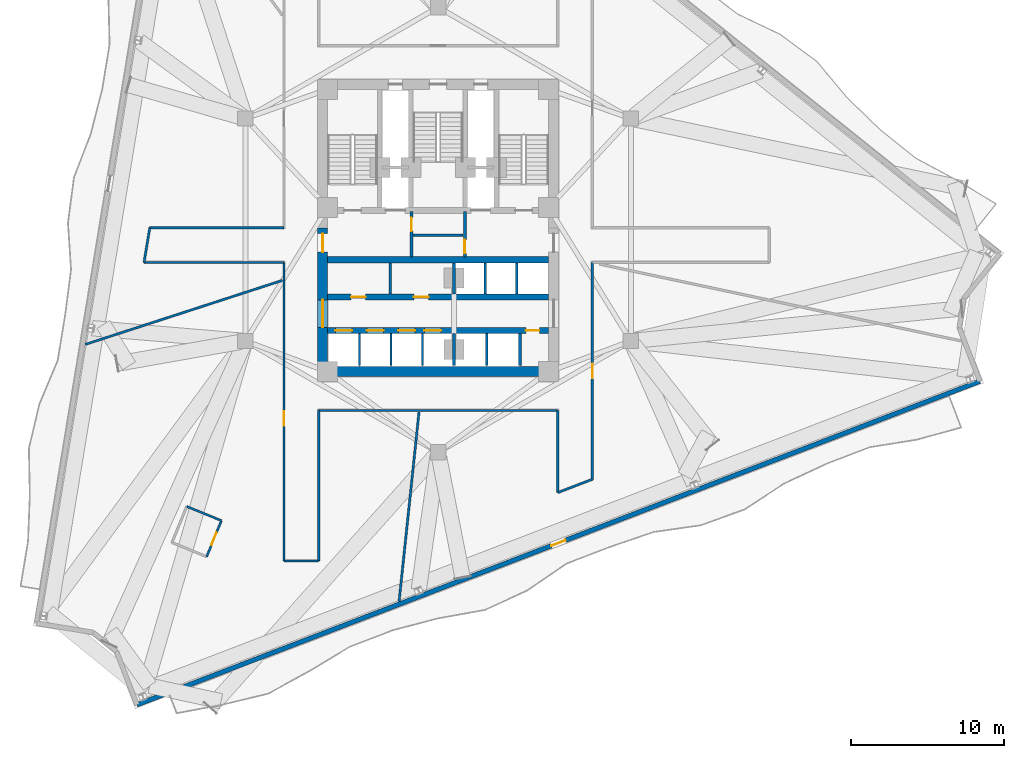
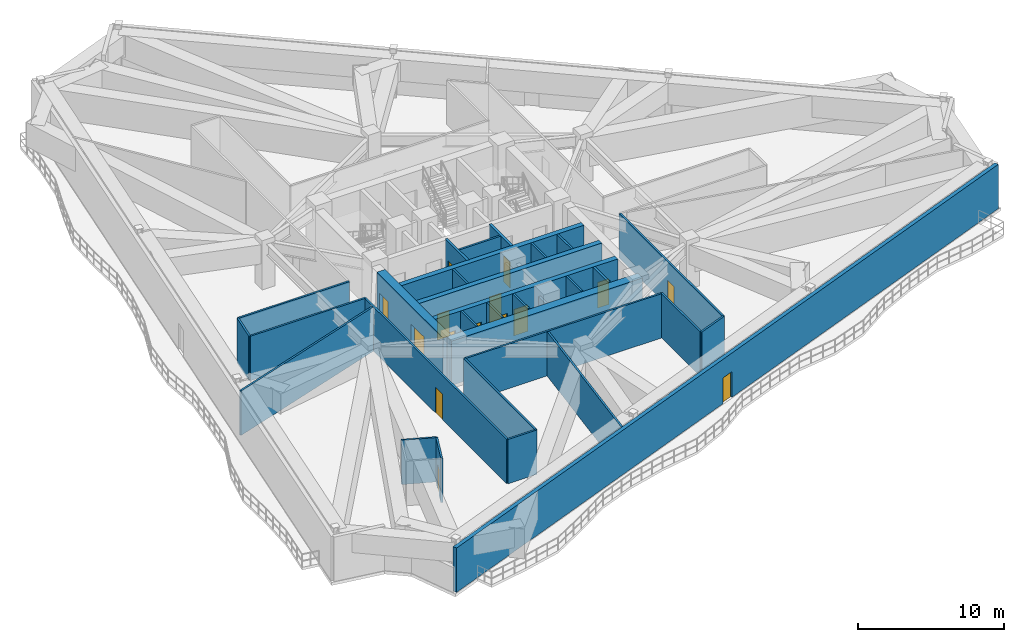
# One storey, part 8 of 14: 33 walls, 15 doors, 15 openings.
"""IFC4 building model written with IfcOpenShell, lengths in metres."""

from ifc_helpers import new_model, si_unit, direction, frame, frame_2d, origin, place, context, subcontext, project, spatial, rectangle, extrude, material, layer, layer_set, type_object, element, fill, save


model = new_model("IFC4")

# Units and contexts
model_context = context("Model", 3, precision=1e-05, world=origin(), true_north=direction((0.0, 1.0)))
body_context = subcontext(model_context, "Body", "Model", "MODEL_VIEW")
ifc_project = project(units=[si_unit("LENGTHUNIT", "METRE"), si_unit("AREAUNIT", "SQUARE_METRE"), si_unit("VOLUMEUNIT", "CUBIC_METRE"), si_unit("PLANEANGLEUNIT", "RADIAN"), si_unit("MASSUNIT", "GRAM", prefix="KILO")], contexts=[model_context])

# Site, building, storey
site_placement = place(None, origin())
site = spatial("IfcSite", under=ifc_project, at=site_placement, CompositionType="ELEMENT")
building_placement = place(site_placement, origin())
building = spatial("IfcBuilding", under=site, at=building_placement, Name="Apsidion Concourse Tower", CompositionType="ELEMENT")
storey_placement = place(building_placement, frame((0.0, 0.0, 156.800048828125)))
storey = spatial("IfcBuildingStorey", under=building, at=storey_placement, Name="L36", CompositionType="ELEMENT", Elevation=156.800048828125)

# Wall, opening, door
ifc_material_1 = material(Name="Precast concrete C40/50", Category="concrete")
ifc_layer_1 = layer(ifc_material_1, 0.300048828125)
ifc_layer_set_1 = layer_set([ifc_layer_1], Name="Precast concrete C40/50")
wall_type_1 = type_object("IfcWallType", Name="WL-EXT-300", PredefinedType="STANDARD", material=ifc_layer_set_1)
wall_1_placement = place(storey_placement, frame((35.29638671875, -9.872802734375, 0.0), z_axis=(0.0, 0.0, 1.0), x_axis=(-0.933580612554, -0.35836746485, 0.0)))
wall_1 = element("IfcWall", 1, at=wall_1_placement, inside=storey, type_object=wall_type_1, Name="L36 Precast Stone Facade Wall 05", PredefinedType="STANDARD", context=body_context, shape_type="SweptSolid", body=[
    extrude(rectangle(XDim=58.827880859375, YDim=0.300048828125, at=frame_2d((29.4140625, 0.0))), origin(), (0.0, 0.0, 1.0), 3.699951171875),
])
opening_1_placement = place(wall_1_placement, frame((28.9140625, 0.0, 0.0)))
opening_1 = element("IfcOpeningElement", 2, at=opening_1_placement, cuts=wall_1, Name="Opening D-T1R", PredefinedType="OPENING", context=body_context, shape_type="SweptSolid", body=[
    extrude(rectangle(XDim=1.0, YDim=2.14990234375, at=frame_2d((0.5, 1.074951171875))), frame((0.0, 0.16015625, 0.0), z_axis=(0.0, -1.0, 0.0), x_axis=(1.0, 0.0, 0.0)), (0.0, 0.0, 1.0), 0.320068359375),
])
ifc_material_2 = material(Name="Anodised aluminium EN AW-6063 T6", Category="aluminium")
door_type_1 = type_object("IfcDoorType", Name="DR-TER-1022R", OperationType="SINGLE_SWING_RIGHT", PredefinedType="DOOR", material=ifc_material_2)
door_1_placement = place(opening_1_placement, origin())
door_1 = element("IfcDoor", 3, at=door_1_placement, inside=storey, type_object=door_type_1, Name="L36 Balcony Access Door 2", OperationType="SINGLE_SWING_RIGHT", OverallHeight=2.14990234375, OverallWidth=1.0, PredefinedType="DOOR", context=body_context, shape_type="SweptSolid", body=[
    extrude(rectangle(XDim=1.0, YDim=2.14990234375, at=frame_2d((0.5, 1.074951171875))), frame((0.0, 0.02490234375, 0.0), z_axis=(0.0, -1.0, 0.0), x_axis=(1.0, 0.0, 0.0)), (0.0, 0.0, 1.0), 0.050048828125),
])
fill(opening_1, door_1)

ifc_material_3 = material(Name="Gypsum plasterboard partition")
ifc_layer_2 = layer(ifc_material_3, 0.139892578125)
ifc_layer_set_2 = layer_set([ifc_layer_2], Name="Gypsum plasterboard partition")
wall_type_2 = type_object("IfcWallType", Name="WL-INT-PAR-140", PredefinedType="PARTITIONING", material=ifc_layer_set_2)
wall_2_placement = place(storey_placement, frame((-15.084228515625, -21.3037109375, 0.0), z_axis=(0.0, 0.0, 1.0), x_axis=(0.377861684358, 0.925862056407, 0.0)))
wall_2 = element("IfcWall", 4, at=wall_2_placement, inside=storey, type_object=wall_type_2, Name="L36 Interior Partition WL-L36-POD-OFAWC-S3", PredefinedType="PARTITIONING", context=body_context, shape_type="SweptSolid", body=[
    extrude(rectangle(XDim=2.539794921875, YDim=0.139892578125, at=frame_2d((1.27001953125, 0.0))), origin(), (0.0, 0.0, 1.0), 3.699951171875),
])
opening_2_placement = place(wall_2_placement, frame((0.830078125, 0.0, 0.0)))
opening_2 = element("IfcOpeningElement", 5, at=opening_2_placement, cuts=wall_2, Name="Opening D-03R", PredefinedType="OPENING", context=body_context, shape_type="SweptSolid", body=[
    extrude(rectangle(XDim=0.8798828125, YDim=2.10009765625, at=frame_2d((0.43994140625, 1.050048828125))), frame((0.0, 0.080078125, 0.0), z_axis=(0.0, -1.0, 0.0), x_axis=(1.0, 0.0, 0.0)), (0.0, 0.0, 1.0), 0.159912109375),
])
door_type_2 = type_object("IfcDoorType", Name="DR-INT-D03R", OperationType="SINGLE_SWING_RIGHT", PredefinedType="DOOR", material=ifc_material_2)
door_2_placement = place(opening_2_placement, origin())
door_2 = element("IfcDoor", 6, at=door_2_placement, inside=storey, type_object=door_type_2, Name="L36 Office Accessible WC Door OFAWC", OperationType="SINGLE_SWING_RIGHT", OverallHeight=2.10009765625, OverallWidth=0.8798828125, PredefinedType="DOOR", context=body_context, shape_type="SweptSolid", body=[
    extrude(rectangle(XDim=0.8798828125, YDim=2.10009765625, at=frame_2d((0.43994140625, 1.050048828125))), frame((0.0, 0.02490234375, 0.0), z_axis=(0.0, -1.0, 0.0), x_axis=(1.0, 0.0, 0.0)), (0.0, 0.0, 1.0), 0.050048828125),
])
fill(opening_2, door_2)

# Walls
wall_3_placement = place(storey_placement, frame((-14.12451171875, -18.9521484375, 0.0), z_axis=(0.0, 0.0, 1.0), x_axis=(-0.925887645297, 0.377798978673, 0.0)))
element("IfcWall", 7, at=wall_3_placement, inside=storey, type_object=wall_type_2, Name="L36 Interior Partition WL-L36-POD-OFAWC-S4", PredefinedType="PARTITIONING", context=body_context, shape_type="SweptSolid", body=[
    extrude(rectangle(XDim=2.440185546875, YDim=0.139892578125, at=frame_2d((1.22021484375, 0.0))), origin(), (0.0, 0.0, 1.0), 3.699951171875),
])
ifc_layer_3 = layer(ifc_material_3, 0.14990234375)
ifc_layer_set_3 = layer_set([ifc_layer_3], Name="Gypsum plasterboard partition")
wall_type_3 = type_object("IfcWallType", Name="WL-INT-PAR-150", PredefinedType="PARTITIONING", material=ifc_layer_set_3)
for number, where, z_axis, x_axis, name in (
    (8, (-3.1201171875, -4.179931640625, 0.0), (0.0, 0.0, 1.0), (0.0, 1.0, 0.0), "L36 Interior Partition WL-L36-B1RV1"),
    (9, (3.074951171875, -4.179931640625, 0.0), (0.0, 0.0, 1.0), (0.0, 1.0, 0.0), "L36 Interior Partition WL-L36-B3DIV-1"),
    (10, (5.125, -4.179931640625, 0.0), (0.0, 0.0, 1.0), (0.0, 1.0, 0.0), "L36 Interior Partition WL-L36-B3DIV-2"),
):
    element("IfcWall", number, at=place(storey_placement, frame(where, z_axis=z_axis, x_axis=x_axis)), inside=storey, type_object=wall_type_3, Name=name, PredefinedType="PARTITIONING", context=body_context, shape_type="SweptSolid", body=[
        extrude(rectangle(XDim=2.030029296875, YDim=0.14990234375, at=frame_2d((1.01513671875, 0.0))), origin(), (0.0, 0.0, 1.0), 3.699951171875),
    ])
for number, where, z_axis, x_axis, name in (
    (11, (-5.125, -8.85009765625, 0.0), (0.0, 0.0, 1.0), (0.0, 1.0, 0.0), "L36 Interior Partition WL-L36-B2DIV-1"),
    (12, (-3.074951171875, -8.85009765625, 0.0), (0.0, 0.0, 1.0), (0.0, 1.0, 0.0), "L36 Interior Partition WL-L36-B2DIV-2"),
    (13, (-1.02490234375, -8.85009765625, 0.0), (0.0, 0.0, 1.0), (0.0, 1.0, 0.0), "L36 Interior Partition WL-L36-B2DIV-3"),
    (14, (3.175048828125, -8.85009765625, 0.0), (0.0, 0.0, 1.0), (0.0, 1.0, 0.0), "L36 Interior Partition WL-L36-SHDIV-1"),
):
    element("IfcWall", number, at=place(storey_placement, frame(where, z_axis=z_axis, x_axis=x_axis)), inside=storey, type_object=wall_type_3, Name=name, PredefinedType="PARTITIONING", context=body_context, shape_type="SweptSolid", body=[
        extrude(rectangle(XDim=2.080078125, YDim=0.14990234375, at=frame_2d((1.0400390625, 0.0))), origin(), (0.0, 0.0, 1.0), 3.699951171875),
    ])
wall_4_placement = place(storey_placement, frame((-1.6298828125, -0.35009765625, 0.0), z_axis=(0.0, 0.0, 1.0), x_axis=(1.0, 0.0, 0.0)))
element("IfcWall", 15, at=wall_4_placement, inside=storey, type_object=wall_type_3, Name="L36 Interior Partition WL-L36-K2H", PredefinedType="PARTITIONING", context=body_context, shape_type="SweptSolid", body=[
    extrude(rectangle(XDim=3.259765625, YDim=0.14990234375, at=frame_2d((1.6298828125, 0.0))), origin(), (0.0, 0.0, 1.0), 3.699951171875),
])
wall_5_placement = place(storey_placement, frame((10.050048828125, -16.259521484375, 0.0), z_axis=(0.0, 0.0, 1.0), x_axis=(-0.933561171802, -0.358418105713, 0.0)))
element("IfcWall", 16, at=wall_5_placement, inside=storey, type_object=wall_type_3, Name="L36 Interior Partition WL-L36-CORR-01", PredefinedType="PARTITIONING", context=body_context, shape_type="SweptSolid", body=[
    extrude(rectangle(XDim=2.4208984375, YDim=0.14990234375, at=frame_2d((1.21044921875, 0.0))), origin(), (0.0, 0.0, 1.0), 3.699951171875),
])
wall_6_placement = place(storey_placement, frame((7.7900390625, -17.127197265625, 0.0), z_axis=(0.0, 0.0, 1.0), x_axis=(0.0, 1.0, 0.0)))
element("IfcWall", 17, at=wall_6_placement, inside=storey, type_object=wall_type_3, Name="L36 Interior Partition WL-L36-CORR-02", PredefinedType="PARTITIONING", context=body_context, shape_type="SweptSolid", body=[
    extrude(rectangle(XDim=5.352294921875, YDim=0.14990234375, at=frame_2d((2.67626953125, 0.0))), origin(), (0.0, 0.0, 1.0), 3.699951171875),
])
wall_7_placement = place(storey_placement, frame((7.7900390625, -11.77490234375, 0.0), z_axis=(0.0, 0.0, 1.0), x_axis=(-1.0, 0.0, 0.0)))
element("IfcWall", 18, at=wall_7_placement, inside=storey, type_object=wall_type_3, Name="L36 Interior Partition WL-L36-CORR-03", PredefinedType="PARTITIONING", context=body_context, shape_type="SweptSolid", body=[
    extrude(rectangle(XDim=15.580078125, YDim=0.14990234375, at=frame_2d((7.7900390625, 0.0))), origin(), (0.0, 0.0, 1.0), 3.699951171875),
])
wall_8_placement = place(storey_placement, frame((-7.7900390625, -11.77490234375, 0.0), z_axis=(0.0, 0.0, 1.0), x_axis=(0.0, -1.0, 0.0)))
element("IfcWall", 19, at=wall_8_placement, inside=storey, type_object=wall_type_3, Name="L36 Interior Partition WL-L36-CORR-04", PredefinedType="PARTITIONING", context=body_context, shape_type="SweptSolid", body=[
    extrude(rectangle(XDim=9.80517578125, YDim=0.14990234375, at=frame_2d((4.902587890625, 0.0))), origin(), (0.0, 0.0, 1.0), 3.699951171875),
])
wall_9_placement = place(storey_placement, frame((-7.7900390625, -21.580078125, 0.0), z_axis=(0.0, 0.0, 1.0), x_axis=(-1.0, 0.0, 0.0)))
element("IfcWall", 20, at=wall_9_placement, inside=storey, type_object=wall_type_3, Name="L36 Interior Partition WL-L36-CORR-05", PredefinedType="PARTITIONING", context=body_context, shape_type="SweptSolid", body=[
    extrude(rectangle(XDim=2.260009765625, YDim=0.14990234375, at=frame_2d((1.1298828125, 0.0))), origin(), (0.0, 0.0, 1.0), 3.699951171875),
])

# Wall, opening, door
wall_10_placement = place(storey_placement, frame((-10.050048828125, -21.580078125, 0.0), z_axis=(0.0, 0.0, 1.0), x_axis=(0.0, 1.0, 0.0)))
wall_10 = element("IfcWall", 21, at=wall_10_placement, inside=storey, type_object=wall_type_3, Name="L36 Interior Partition WL-L36-CORR-06", PredefinedType="PARTITIONING", context=body_context, shape_type="SweptSolid", body=[
    extrude(rectangle(XDim=19.4501953125, YDim=0.14990234375, at=frame_2d((9.72509765625, 0.0))), origin(), (0.0, 0.0, 1.0), 3.699951171875),
])
opening_3_placement = place(wall_10_placement, frame((8.794921875, 0.0, 0.0)))
opening_3 = element("IfcOpeningElement", 22, at=opening_3_placement, cuts=wall_10, Name="Opening D-01L", PredefinedType="OPENING", context=body_context, shape_type="SweptSolid", body=[
    extrude(rectangle(XDim=0.949951171875, YDim=2.14990234375, at=frame_2d((0.47509765625, 1.074951171875))), frame((0.0, 0.0849609375, 0.0), z_axis=(0.0, -1.0, 0.0), x_axis=(1.0, 0.0, 0.0)), (0.0, 0.0, 1.0), 0.169921875),
])
ifc_material_4 = material(Name="Brushed stainless steel 316", Category="steel")
door_type_3 = type_object("IfcDoorType", Name="DR-INT-D01L", OperationType="SINGLE_SWING_LEFT", PredefinedType="DOOR", material=ifc_material_4)
door_3_placement = place(opening_3_placement, origin())
door_3 = element("IfcDoor", 23, at=door_3_placement, inside=storey, type_object=door_type_3, Name="L36 Corridor Entry Door 01", OperationType="SINGLE_SWING_LEFT", OverallHeight=2.14990234375, OverallWidth=0.949951171875, PredefinedType="DOOR", context=body_context, shape_type="SweptSolid", body=[
    extrude(rectangle(XDim=0.949951171875, YDim=2.14990234375, at=frame_2d((0.47509765625, 1.074951171875))), frame((0.0, 0.02490234375, 0.0), z_axis=(0.0, -1.0, 0.0), x_axis=(1.0, 0.0, 0.0)), (0.0, 0.0, 1.0), 0.050048828125),
])
fill(opening_3, door_3)

# Walls
wall_11_placement = place(storey_placement, frame((-10.050048828125, -2.1298828125, 0.0), z_axis=(0.0, 0.0, 1.0), x_axis=(-1.0, 0.0, 0.0)))
element("IfcWall", 24, at=wall_11_placement, inside=storey, type_object=wall_type_3, Name="L36 Interior Partition WL-L36-CORR-07", PredefinedType="PARTITIONING", context=body_context, shape_type="SweptSolid", body=[
    extrude(rectangle(XDim=9.1142578125, YDim=0.14990234375, at=frame_2d((4.55712890625, 0.0))), origin(), (0.0, 0.0, 1.0), 3.699951171875),
])
wall_12_placement = place(storey_placement, frame((-19.164306640625, -2.1298828125, 0.0), z_axis=(0.0, 0.0, 1.0), x_axis=(0.161943522339, 0.986800028158, 0.0)))
element("IfcWall", 25, at=wall_12_placement, inside=storey, type_object=wall_type_3, Name="L36 Interior Partition WL-L36-CORR-08", PredefinedType="PARTITIONING", context=body_context, shape_type="SweptSolid", body=[
    extrude(rectangle(XDim=2.2900390625, YDim=0.14990234375, at=frame_2d((1.14501953125, 0.0))), origin(), (0.0, 0.0, 1.0), 3.699951171875),
])
wall_13_placement = place(storey_placement, frame((-18.79345703125, 0.1298828125, 0.0), z_axis=(0.0, 0.0, 1.0), x_axis=(1.0, 0.0, 0.0)))
element("IfcWall", 26, at=wall_13_placement, inside=storey, type_object=wall_type_3, Name="L36 Interior Partition WL-L36-CORR-09", PredefinedType="PARTITIONING", context=body_context, shape_type="SweptSolid", body=[
    extrude(rectangle(XDim=8.743408203125, YDim=0.14990234375, at=frame_2d((4.37158203125, 0.0))), origin(), (0.0, 0.0, 1.0), 3.699951171875),
])

# Wall, opening, door
wall_14_placement = place(storey_placement, frame((10.050048828125, -2.1298828125, 0.0), z_axis=(0.0, 0.0, 1.0), x_axis=(0.0, -1.0, 0.0)))
wall_14 = element("IfcWall", 27, at=wall_14_placement, inside=storey, type_object=wall_type_3, Name="L36 Interior Partition WL-L36-CORR-20", PredefinedType="PARTITIONING", context=body_context, shape_type="SweptSolid", body=[
    extrude(rectangle(XDim=14.129638671875, YDim=0.14990234375, at=frame_2d((7.06494140625, 0.0))), origin(), (0.0, 0.0, 1.0), 3.699951171875),
])
opening_4_placement = place(wall_14_placement, frame((6.58984375, 0.0, 0.0)))
opening_4 = element("IfcOpeningElement", 28, at=opening_4_placement, cuts=wall_14, Name="Opening D-01R", PredefinedType="OPENING", context=body_context, shape_type="SweptSolid", body=[
    extrude(rectangle(XDim=0.949951171875, YDim=2.14990234375, at=frame_2d((0.47509765625, 1.074951171875))), frame((0.0, 0.0849609375, 0.0), z_axis=(0.0, -1.0, 0.0), x_axis=(1.0, 0.0, 0.0)), (0.0, 0.0, 1.0), 0.169921875),
])
door_type_4 = type_object("IfcDoorType", Name="DR-INT-D01R", OperationType="SINGLE_SWING_RIGHT", PredefinedType="DOOR", material=ifc_material_4)
door_4_placement = place(opening_4_placement, origin())
door_4 = element("IfcDoor", 29, at=door_4_placement, inside=storey, type_object=door_type_4, Name="L36 Corridor Entry Door 02", OperationType="SINGLE_SWING_RIGHT", OverallHeight=2.14990234375, OverallWidth=0.949951171875, PredefinedType="DOOR", context=body_context, shape_type="SweptSolid", body=[
    extrude(rectangle(XDim=0.949951171875, YDim=2.14990234375, at=frame_2d((0.47509765625, 1.074951171875))), frame((0.0, 0.02490234375, 0.0), z_axis=(0.0, -1.0, 0.0), x_axis=(1.0, 0.0, 0.0)), (0.0, 0.0, 1.0), 0.050048828125),
])
fill(opening_4, door_4)

# Walls
wall_15_placement = place(storey_placement, frame((-10.155029296875, -3.299560546875, 0.0), z_axis=(0.0, 0.0, 1.0), x_axis=(-0.951054655994, -0.309022719735, 0.0)))
element("IfcWall", 30, at=wall_15_placement, inside=storey, type_object=wall_type_3, Name="L36 Interior Partition WL-L36-RAD-03-1", PredefinedType="PARTITIONING", context=body_context, shape_type="SweptSolid", body=[
    extrude(rectangle(XDim=13.506591796875, YDim=0.14990234375, at=frame_2d((6.75341796875, 0.0))), origin(), (0.0, 0.0, 1.0), 3.699951171875),
])
wall_16_placement = place(storey_placement, frame((-1.24853515625, -11.8798828125, 0.0), z_axis=(0.0, 0.0, 1.0), x_axis=(-0.104537323766, -0.994520964052, 0.0)))
element("IfcWall", 31, at=wall_16_placement, inside=storey, type_object=wall_type_3, Name="L36 Interior Partition WL-L36-RAD-04-1", PredefinedType="PARTITIONING", context=body_context, shape_type="SweptSolid", body=[
    extrude(rectangle(XDim=12.41064453125, YDim=0.14990234375, at=frame_2d((6.205322265625, 0.0))), origin(), (0.0, 0.0, 1.0), 3.699951171875),
])
ifc_layer_4 = layer(ifc_material_3, 0.179931640625)
ifc_layer_set_4 = layer_set([ifc_layer_4], Name="Gypsum plasterboard partition")
wall_type_4 = type_object("IfcWallType", Name="WL-INT-PAR-180", PredefinedType="PARTITIONING", material=ifc_layer_set_4)
wall_17_placement = place(storey_placement, frame((1.02490234375, -4.179931640625, 0.0), z_axis=(0.0, 0.0, 1.0), x_axis=(0.0, 1.0, 0.0)))
element("IfcWall", 32, at=wall_17_placement, inside=storey, type_object=wall_type_4, Name="L36 Interior Partition WL-L36-B1END", PredefinedType="PARTITIONING", context=body_context, shape_type="SweptSolid", body=[
    extrude(rectangle(XDim=2.030029296875, YDim=0.179931640625, at=frame_2d((1.01513671875, 0.0))), origin(), (0.0, 0.0, 1.0), 2.748046875),
])
wall_18_placement = place(storey_placement, frame((1.02490234375, -8.85009765625, 0.0), z_axis=(0.0, 0.0, 1.0), x_axis=(0.0, 1.0, 0.0)))
element("IfcWall", 33, at=wall_18_placement, inside=storey, type_object=wall_type_4, Name="L36 Interior Partition WL-L36-B2END", PredefinedType="PARTITIONING", context=body_context, shape_type="SweptSolid", body=[
    extrude(rectangle(XDim=2.080078125, YDim=0.179931640625, at=frame_2d((1.0400390625, 0.0))), origin(), (0.0, 0.0, 1.0), 2.748046875),
])
wall_19_placement = place(storey_placement, frame((5.324951171875, -8.85009765625, 0.0), z_axis=(0.0, 0.0, 1.0), x_axis=(0.0, 1.0, 0.0)))
element("IfcWall", 34, at=wall_19_placement, inside=storey, type_object=wall_type_4, Name="L36 Interior Partition WL-L36-SHDIV-2", PredefinedType="PARTITIONING", context=body_context, shape_type="SweptSolid", body=[
    extrude(rectangle(XDim=2.080078125, YDim=0.179931640625, at=frame_2d((1.0400390625, 0.0))), origin(), (0.0, 0.0, 1.0), 3.699951171875),
])

# Wall, opening, door
ifc_layer_5 = layer(ifc_material_3, 0.199951171875)
ifc_layer_set_5 = layer_set([ifc_layer_5], Name="Gypsum plasterboard partition")
wall_type_5 = type_object("IfcWallType", Name="WL-INT-PAR-200", PredefinedType="PARTITIONING", material=ifc_layer_set_5)
wall_20_placement = place(storey_placement, frame((-1.739990234375, -1.780029296875, 0.0), z_axis=(0.0, 0.0, 1.0), x_axis=(0.0, 1.0, 0.0)))
wall_20 = element("IfcWall", 35, at=wall_20_placement, inside=storey, type_object=wall_type_5, Name="L36 Interior Partition WL-L36-FF1-E", PredefinedType="PARTITIONING", context=body_context, shape_type="SweptSolid", body=[
    extrude(rectangle(XDim=2.97998046875, YDim=0.199951171875, at=frame_2d((1.489990234375, 0.0))), origin(), (0.0, 0.0, 1.0), 3.699951171875),
])
opening_5_placement = place(wall_20_placement, frame((1.68994140625, 0.0, 0.0)))
opening_5 = element("IfcOpeningElement", 36, at=opening_5_placement, cuts=wall_20, Name="Opening D-05L", PredefinedType="OPENING", context=body_context, shape_type="SweptSolid", body=[
    extrude(rectangle(XDim=0.8798828125, YDim=2.14990234375, at=frame_2d((0.43994140625, 1.074951171875))), frame((0.0, 0.10986328125, 0.0), z_axis=(0.0, -1.0, 0.0), x_axis=(1.0, 0.0, 0.0)), (0.0, 0.0, 1.0), 0.219970703125),
])
door_type_5 = type_object("IfcDoorType", Name="DR-INT-D05L", OperationType="SINGLE_SWING_LEFT", PredefinedType="DOOR", material=ifc_material_4)
door_5_placement = place(opening_5_placement, origin())
door_5 = element("IfcDoor", 37, at=door_5_placement, inside=storey, type_object=door_type_5, Name="L36 Core Staff WC Door", OperationType="SINGLE_SWING_LEFT", OverallHeight=2.14990234375, OverallWidth=0.8798828125, PredefinedType="DOOR", context=body_context, shape_type="SweptSolid", body=[
    extrude(rectangle(XDim=0.8798828125, YDim=2.14990234375, at=frame_2d((0.43994140625, 1.074951171875))), frame((0.0, 0.02490234375, 0.0), z_axis=(0.0, -1.0, 0.0), x_axis=(1.0, 0.0, 0.0)), (0.0, 0.0, 1.0), 0.050048828125),
])
fill(opening_5, door_5)

wall_21_placement = place(storey_placement, frame((1.739990234375, -1.780029296875, 0.0), z_axis=(0.0, 0.0, 1.0), x_axis=(0.0, 1.0, 0.0)))
wall_21 = element("IfcWall", 38, at=wall_21_placement, inside=storey, type_object=wall_type_5, Name="L36 Interior Partition WL-L36-FF2-W", PredefinedType="PARTITIONING", context=body_context, shape_type="SweptSolid", body=[
    extrude(rectangle(XDim=2.97998046875, YDim=0.199951171875, at=frame_2d((1.489990234375, 0.0))), origin(), (0.0, 0.0, 1.0), 3.699951171875),
])
opening_6_placement = place(wall_21_placement, frame((0.239990234375, 0.0, 0.0)))
opening_6 = element("IfcOpeningElement", 39, at=opening_6_placement, cuts=wall_21, Name="Opening D-05R", PredefinedType="OPENING", context=body_context, shape_type="SweptSolid", body=[
    extrude(rectangle(XDim=0.8798828125, YDim=2.14990234375, at=frame_2d((0.43994140625, 1.074951171875))), frame((0.0, 0.10986328125, 0.0), z_axis=(0.0, -1.0, 0.0), x_axis=(1.0, 0.0, 0.0)), (0.0, 0.0, 1.0), 0.219970703125),
])
door_type_6 = type_object("IfcDoorType", Name="DR-INT-D05R", OperationType="SINGLE_SWING_RIGHT", PredefinedType="DOOR", material=ifc_material_4)
door_6_placement = place(opening_6_placement, origin())
door_6 = element("IfcDoor", 40, at=door_6_placement, inside=storey, type_object=door_type_6, Name="L36 Core Supply Store Door", OperationType="SINGLE_SWING_RIGHT", OverallHeight=2.14990234375, OverallWidth=0.8798828125, PredefinedType="DOOR", context=body_context, shape_type="SweptSolid", body=[
    extrude(rectangle(XDim=0.8798828125, YDim=2.14990234375, at=frame_2d((0.43994140625, 1.074951171875))), frame((0.0, 0.02490234375, 0.0), z_axis=(0.0, -1.0, 0.0), x_axis=(1.0, 0.0, 0.0)), (0.0, 0.0, 1.0), 0.050048828125),
])
fill(opening_6, door_6)

# Wall
ifc_material_5 = material(Name="Concrete C50/60", Category="concrete")
ifc_layer_6 = layer(ifc_material_5, 0.39990234375)
ifc_layer_set_6 = layer_set([ifc_layer_6], Name="Concrete C50/60")
wall_type_6 = type_object("IfcWallType", Name="WL-SH-400", PredefinedType="SHEAR", material=ifc_layer_set_6)
wall_22_placement = place(storey_placement, frame((-7.199951171875, -1.949951171875, 0.0), z_axis=(0.0, 0.0, 1.0), x_axis=(1.0, 0.0, 0.0)))
element("IfcWall", 41, at=wall_22_placement, inside=storey, type_object=wall_type_6, Name="L36 Central Core Shear Wall M2", PredefinedType="SHEAR", context=body_context, shape_type="SweptSolid", body=[
    extrude(rectangle(XDim=14.39990234375, YDim=0.39990234375, at=frame_2d((7.199951171875, 0.0))), origin(), (0.0, 0.0, 1.0), 3.699951171875),
])

# Wall, openings, doors
wall_23_placement = place(storey_placement, frame((-7.199951171875, -4.3798828125, 0.0), z_axis=(0.0, 0.0, 1.0), x_axis=(1.0, 0.0, 0.0)))
wall_23 = element("IfcWall", 42, at=wall_23_placement, inside=storey, type_object=wall_type_6, Name="L36 Central Core Shear Wall LA", PredefinedType="SHEAR", context=body_context, shape_type="SweptSolid", body=[
    extrude(rectangle(XDim=14.39990234375, YDim=0.39990234375, at=frame_2d((7.199951171875, 0.0))), origin(), (0.0, 0.0, 1.0), 3.699951171875),
])
opening_7_placement = place(wall_23_placement, frame((1.52490234375, 0.0, 0.0)))
opening_7 = element("IfcOpeningElement", 43, at=opening_7_placement, cuts=wall_23, Name="Opening D-04L", PredefinedType="OPENING", context=body_context, shape_type="SweptSolid", body=[
    extrude(rectangle(XDim=0.949951171875, YDim=2.14990234375, at=frame_2d((0.47509765625, 1.074951171875))), frame((0.0, 0.2099609375, 0.0), z_axis=(0.0, -1.0, 0.0), x_axis=(1.0, 0.0, 0.0)), (0.0, 0.0, 1.0), 0.419921875),
])
opening_8_placement = place(wall_23_placement, frame((5.625, 0.0, 0.0)))
opening_8 = element("IfcOpeningElement", 44, at=opening_8_placement, cuts=wall_23, Name="Opening D-04R", PredefinedType="OPENING", context=body_context, shape_type="SweptSolid", body=[
    extrude(rectangle(XDim=0.949951171875, YDim=2.14990234375, at=frame_2d((0.47509765625, 1.074951171875))), frame((0.0, 0.2099609375, 0.0), z_axis=(0.0, -1.0, 0.0), x_axis=(1.0, 0.0, 0.0)), (0.0, 0.0, 1.0), 0.419921875),
])
door_type_7 = type_object("IfcDoorType", Name="DR-INT-D04L", OperationType="SINGLE_SWING_LEFT", PredefinedType="DOOR", material=ifc_material_4)
door_7_placement = place(opening_7_placement, origin())
door_7 = element("IfcDoor", 45, at=door_7_placement, inside=storey, type_object=door_type_7, Name="L36 Tenant Archive Room West Door", OperationType="SINGLE_SWING_LEFT", OverallHeight=2.14990234375, OverallWidth=0.949951171875, PredefinedType="DOOR", context=body_context, shape_type="SweptSolid", body=[
    extrude(rectangle(XDim=0.949951171875, YDim=2.14990234375, at=frame_2d((0.47509765625, 1.074951171875))), frame((0.0, 0.02490234375, 0.0), z_axis=(0.0, -1.0, 0.0), x_axis=(1.0, 0.0, 0.0)), (0.0, 0.0, 1.0), 0.050048828125),
])
fill(opening_7, door_7)
door_type_8 = type_object("IfcDoorType", Name="DR-INT-D04R", OperationType="SINGLE_SWING_RIGHT", PredefinedType="DOOR", material=ifc_material_4)
door_8_placement = place(opening_8_placement, origin())
door_8 = element("IfcDoor", 46, at=door_8_placement, inside=storey, type_object=door_type_8, Name="L36 Core Print and Copy Room Door", OperationType="SINGLE_SWING_RIGHT", OverallHeight=2.14990234375, OverallWidth=0.949951171875, PredefinedType="DOOR", context=body_context, shape_type="SweptSolid", body=[
    extrude(rectangle(XDim=0.949951171875, YDim=2.14990234375, at=frame_2d((0.47509765625, 1.074951171875))), frame((0.0, 0.02490234375, 0.0), z_axis=(0.0, -1.0, 0.0), x_axis=(1.0, 0.0, 0.0)), (0.0, 0.0, 1.0), 0.050048828125),
])
fill(opening_8, door_8)

wall_24_placement = place(storey_placement, frame((-7.199951171875, -6.570068359375, 0.0), z_axis=(0.0, 0.0, 1.0), x_axis=(1.0, 0.0, 0.0)))
wall_24 = element("IfcWall", 47, at=wall_24_placement, inside=storey, type_object=wall_type_6, Name="L36 Central Core Shear Wall LB", PredefinedType="SHEAR", context=body_context, shape_type="SweptSolid", body=[
    extrude(rectangle(XDim=14.39990234375, YDim=0.39990234375, at=frame_2d((7.199951171875, 0.0))), origin(), (0.0, 0.0, 1.0), 3.699951171875),
])
opening_9_placement = place(wall_24_placement, frame((0.5, 0.0, 0.0)))
opening_9 = element("IfcOpeningElement", 48, at=opening_9_placement, cuts=wall_24, Name="Opening LD-P1", PredefinedType="OPENING", context=body_context, shape_type="SweptSolid", body=[
    extrude(rectangle(XDim=1.10009765625, YDim=2.199951171875, at=frame_2d((0.550048828125, 1.10009765625))), frame((0.0, 0.2099609375, 0.0), z_axis=(0.0, -1.0, 0.0), x_axis=(1.0, 0.0, 0.0)), (0.0, 0.0, 1.0), 0.419921875),
])
opening_10_placement = place(wall_24_placement, frame((2.550048828125, 0.0, 0.0)))
opening_10 = element("IfcOpeningElement", 49, at=opening_10_placement, cuts=wall_24, Name="Opening LD-P1", PredefinedType="OPENING", context=body_context, shape_type="SweptSolid", body=[
    extrude(rectangle(XDim=1.10009765625, YDim=2.199951171875, at=frame_2d((0.550048828125, 1.10009765625))), frame((0.0, 0.2099609375, 0.0), z_axis=(0.0, -1.0, 0.0), x_axis=(1.0, 0.0, 0.0)), (0.0, 0.0, 1.0), 0.419921875),
])
opening_11_placement = place(wall_24_placement, frame((4.60009765625, 0.0, 0.0)))
opening_11 = element("IfcOpeningElement", 50, at=opening_11_placement, cuts=wall_24, Name="Opening LD-P1", PredefinedType="OPENING", context=body_context, shape_type="SweptSolid", body=[
    extrude(rectangle(XDim=1.10009765625, YDim=2.199951171875, at=frame_2d((0.550048828125, 1.10009765625))), frame((0.0, 0.2099609375, 0.0), z_axis=(0.0, -1.0, 0.0), x_axis=(1.0, 0.0, 0.0)), (0.0, 0.0, 1.0), 0.419921875),
])
opening_12_placement = place(wall_24_placement, frame((6.300048828125, 0.0, 0.0)))
opening_12 = element("IfcOpeningElement", 51, at=opening_12_placement, cuts=wall_24, Name="Opening LD-P1", PredefinedType="OPENING", context=body_context, shape_type="SweptSolid", body=[
    extrude(rectangle(XDim=1.10009765625, YDim=2.199951171875, at=frame_2d((0.550048828125, 1.10009765625))), frame((0.0, 0.2099609375, 0.0), z_axis=(0.0, -1.0, 0.0), x_axis=(1.0, 0.0, 0.0)), (0.0, 0.0, 1.0), 0.419921875),
])
opening_13_placement = place(wall_24_placement, frame((12.909912109375, 0.0, 0.0)))
opening_13 = element("IfcOpeningElement", 52, at=opening_13_placement, cuts=wall_24, Name="Opening D-05L", PredefinedType="OPENING", context=body_context, shape_type="SweptSolid", body=[
    extrude(rectangle(XDim=0.8798828125, YDim=2.14990234375, at=frame_2d((0.43994140625, 1.074951171875))), frame((0.0, 0.2099609375, 0.0), z_axis=(0.0, -1.0, 0.0), x_axis=(1.0, 0.0, 0.0)), (0.0, 0.0, 1.0), 0.419921875),
])
door_9_placement = place(opening_13_placement, origin())
door_9 = element("IfcDoor", 53, at=door_9_placement, inside=storey, type_object=door_type_5, Name="L36 Cleaners Store Door", OperationType="SINGLE_SWING_LEFT", OverallHeight=2.14990234375, OverallWidth=0.8798828125, PredefinedType="DOOR", context=body_context, shape_type="SweptSolid", body=[
    extrude(rectangle(XDim=0.8798828125, YDim=2.14990234375, at=frame_2d((0.43994140625, 1.074951171875))), frame((0.0, 0.02490234375, 0.0), z_axis=(0.0, -1.0, 0.0), x_axis=(1.0, 0.0, 0.0)), (0.0, 0.0, 1.0), 0.050048828125),
])
fill(opening_13, door_9)
door_type_9 = type_object("IfcDoorType", Name="DR-LD-PASS", OperationType="DOUBLE_DOOR_SLIDING", PredefinedType="DOOR", material=ifc_material_4)
door_10_placement = place(opening_9_placement, origin())
door_10 = element("IfcDoor", 54, at=door_10_placement, inside=storey, type_object=door_type_9, Name="L36 Lift Landing Door P5", OperationType="DOUBLE_DOOR_SLIDING", OverallHeight=2.199951171875, OverallWidth=1.10009765625, PredefinedType="DOOR", context=body_context, shape_type="SweptSolid", body=[
    extrude(rectangle(XDim=1.10009765625, YDim=2.199951171875, at=frame_2d((0.550048828125, 1.10009765625))), frame((0.0, 0.02490234375, 0.0), z_axis=(0.0, -1.0, 0.0), x_axis=(1.0, 0.0, 0.0)), (0.0, 0.0, 1.0), 0.050048828125),
])
fill(opening_9, door_10)
door_11_placement = place(opening_10_placement, origin())
door_11 = element("IfcDoor", 55, at=door_11_placement, inside=storey, type_object=door_type_9, Name="L36 Lift Landing Door P6", OperationType="DOUBLE_DOOR_SLIDING", OverallHeight=2.199951171875, OverallWidth=1.10009765625, PredefinedType="DOOR", context=body_context, shape_type="SweptSolid", body=[
    extrude(rectangle(XDim=1.10009765625, YDim=2.199951171875, at=frame_2d((0.550048828125, 1.10009765625))), frame((0.0, 0.02490234375, 0.0), z_axis=(0.0, -1.0, 0.0), x_axis=(1.0, 0.0, 0.0)), (0.0, 0.0, 1.0), 0.050048828125),
])
fill(opening_10, door_11)
door_12_placement = place(opening_11_placement, origin())
door_12 = element("IfcDoor", 56, at=door_12_placement, inside=storey, type_object=door_type_9, Name="L36 Lift Landing Door P7", OperationType="DOUBLE_DOOR_SLIDING", OverallHeight=2.199951171875, OverallWidth=1.10009765625, PredefinedType="DOOR", context=body_context, shape_type="SweptSolid", body=[
    extrude(rectangle(XDim=1.10009765625, YDim=2.199951171875, at=frame_2d((0.550048828125, 1.10009765625))), frame((0.0, 0.02490234375, 0.0), z_axis=(0.0, -1.0, 0.0), x_axis=(1.0, 0.0, 0.0)), (0.0, 0.0, 1.0), 0.050048828125),
])
fill(opening_11, door_12)
door_13_placement = place(opening_12_placement, origin())
door_13 = element("IfcDoor", 57, at=door_13_placement, inside=storey, type_object=door_type_9, Name="L36 Lift Landing Door P8", OperationType="DOUBLE_DOOR_SLIDING", OverallHeight=2.199951171875, OverallWidth=1.10009765625, PredefinedType="DOOR", context=body_context, shape_type="SweptSolid", body=[
    extrude(rectangle(XDim=1.10009765625, YDim=2.199951171875, at=frame_2d((0.550048828125, 1.10009765625))), frame((0.0, 0.02490234375, 0.0), z_axis=(0.0, -1.0, 0.0), x_axis=(1.0, 0.0, 0.0)), (0.0, 0.0, 1.0), 0.050048828125),
])
fill(opening_12, door_13)

ifc_layer_7 = layer(ifc_material_5, 0.64990234375)
ifc_layer_set_7 = layer_set([ifc_layer_7], Name="Concrete C50/60")
wall_type_7 = type_object("IfcWallType", Name="WL-SH-650", PredefinedType="SHEAR", material=ifc_layer_set_7)
wall_25_placement = place(storey_placement, frame((-7.52490234375, -8.925048828125, 0.0), z_axis=(0.0, 0.0, 1.0), x_axis=(0.0, 1.0, 0.0)))
wall_25 = element("IfcWall", 58, at=wall_25_placement, inside=storey, type_object=wall_type_7, Name="L36 Central Core Shear Wall WS", PredefinedType="SHEAR", context=body_context, shape_type="SweptSolid", body=[
    extrude(rectangle(XDim=9.025146484375, YDim=0.64990234375, at=frame_2d((4.5126953125, 0.0))), origin(), (0.0, 0.0, 1.0), 3.699951171875),
])
opening_14_placement = place(wall_25_placement, frame((2.56494140625, 0.0, 0.0)))
opening_14 = element("IfcOpeningElement", 59, at=opening_14_placement, cuts=wall_25, Name="Opening D-06D", PredefinedType="OPENING", context=body_context, shape_type="SweptSolid", body=[
    extrude(rectangle(XDim=1.800048828125, YDim=2.199951171875, at=frame_2d((0.89990234375, 1.10009765625))), frame((0.0, 0.3349609375, 0.0), z_axis=(0.0, -1.0, 0.0), x_axis=(1.0, 0.0, 0.0)), (0.0, 0.0, 1.0), 0.669921875),
])
opening_15_placement = place(wall_25_placement, frame((7.47509765625, 0.0, 0.0)))
opening_15 = element("IfcOpeningElement", 60, at=opening_15_placement, cuts=wall_25, Name="Opening D-FFL", PredefinedType="OPENING", context=body_context, shape_type="SweptSolid", body=[
    extrude(rectangle(XDim=1.199951171875, YDim=2.14990234375, at=frame_2d((0.60009765625, 1.074951171875))), frame((0.0, 0.3349609375, 0.0), z_axis=(0.0, -1.0, 0.0), x_axis=(1.0, 0.0, 0.0)), (0.0, 0.0, 1.0), 0.669921875),
])
door_type_10 = type_object("IfcDoorType", Name="DR-INT-D06D", OperationType="DOUBLE_DOOR_SINGLE_SWING", PredefinedType="DOOR", material=ifc_material_4)
door_14_placement = place(opening_14_placement, origin())
door_14 = element("IfcDoor", 61, at=door_14_placement, inside=storey, type_object=door_type_10, Name="L36 Passenger Lift Lobby WS Portal Door", OperationType="DOUBLE_DOOR_SINGLE_SWING", OverallHeight=2.199951171875, OverallWidth=1.800048828125, PredefinedType="DOOR", context=body_context, shape_type="SweptSolid", body=[
    extrude(rectangle(XDim=1.800048828125, YDim=2.199951171875, at=frame_2d((0.89990234375, 1.10009765625))), frame((0.0, 0.02490234375, 0.0), z_axis=(0.0, -1.0, 0.0), x_axis=(1.0, 0.0, 0.0)), (0.0, 0.0, 1.0), 0.050048828125),
])
fill(opening_14, door_14)
door_type_11 = type_object("IfcDoorType", Name="DR-INT-FFL", OperationType="SINGLE_SWING_LEFT", PredefinedType="DOOR", material=ifc_material_4)
door_15_placement = place(opening_15_placement, origin())
door_15 = element("IfcDoor", 62, at=door_15_placement, inside=storey, type_object=door_type_11, Name="L36 Firefighting Lift Lobby FF1 Door", OperationType="SINGLE_SWING_LEFT", OverallHeight=2.14990234375, OverallWidth=1.199951171875, PredefinedType="DOOR", context=body_context, shape_type="SweptSolid", body=[
    extrude(rectangle(XDim=1.199951171875, YDim=2.14990234375, at=frame_2d((0.60009765625, 1.074951171875))), frame((0.0, 0.02490234375, 0.0), z_axis=(0.0, -1.0, 0.0), x_axis=(1.0, 0.0, 0.0)), (0.0, 0.0, 1.0), 0.050048828125),
])
fill(opening_15, door_15)

# Wall
wall_26_placement = place(storey_placement, frame((-7.52490234375, -9.25, 0.0), z_axis=(0.0, 0.0, 1.0), x_axis=(1.0, 0.0, 0.0)))
element("IfcWall", 63, at=wall_26_placement, inside=storey, type_object=wall_type_7, Name="L36 Central Core Shear Wall S", PredefinedType="SHEAR", context=body_context, shape_type="SweptSolid", body=[
    extrude(rectangle(XDim=15.0498046875, YDim=0.64990234375, at=frame_2d((7.52490234375, 0.0))), origin(), (0.0, 0.0, 1.0), 3.699951171875),
])

save(model, "model.ifc")
